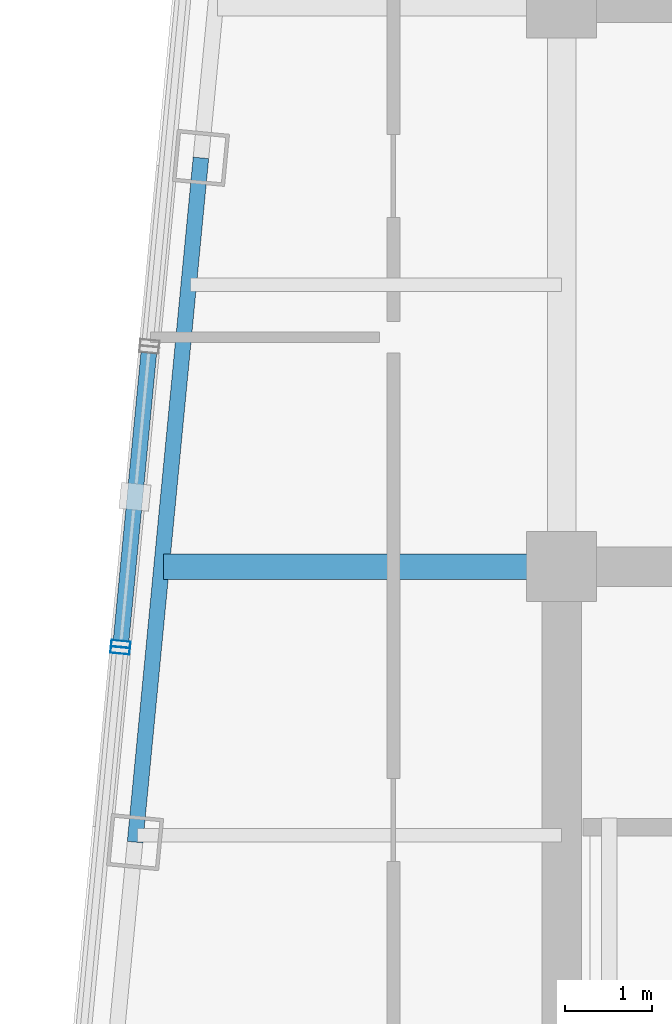
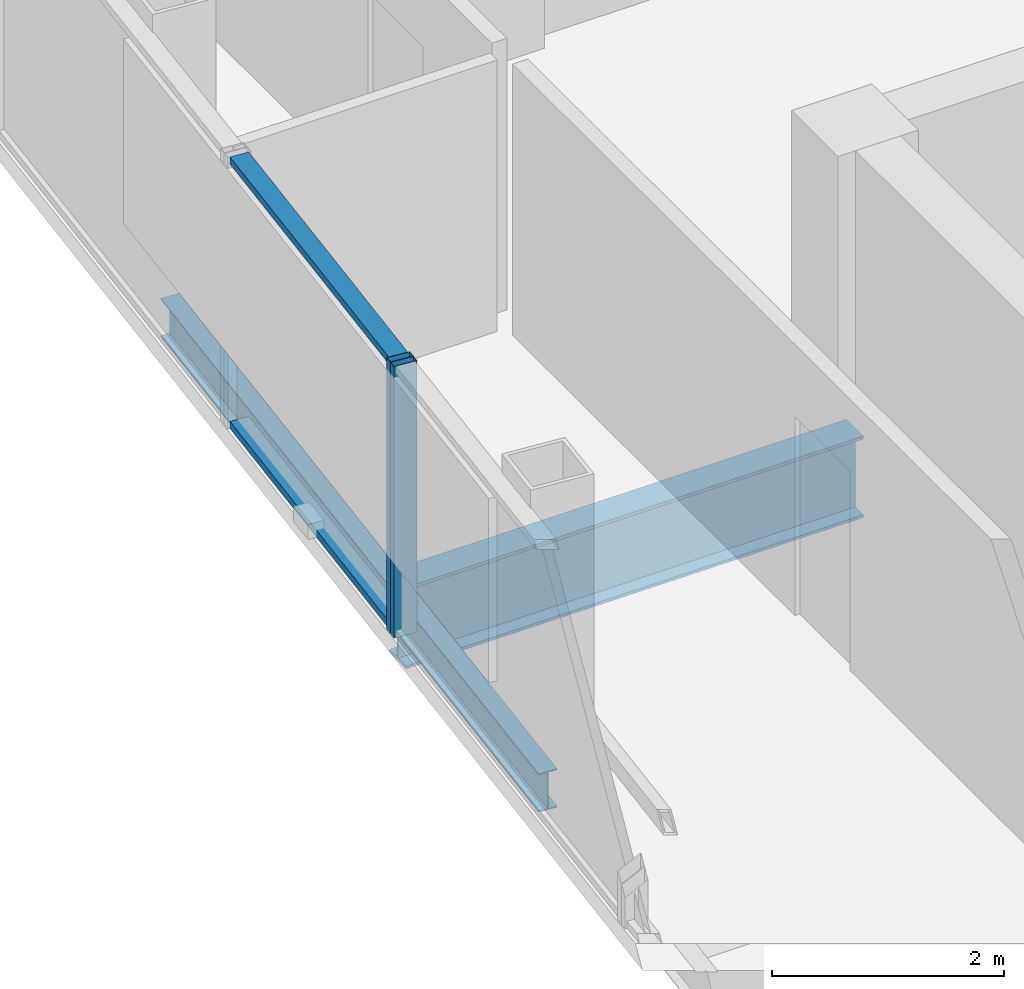
# One storey, part 7 of 27: 4 members, 2 beams, 2 elements without a shape of their own.
"""IFC4 building model written with IfcOpenShell, lengths in metres."""

from ifc_helpers import new_model, si_unit, direction, frame, origin, origin_2d, place, context, subcontext, project, spatial, hollow_rectangle, i_section, extrude, material, layer, layer_set, material_profile, profile_set, type_object, element, aggregate, save


model = new_model("IFC4")

# Units and contexts
model_context = context("Model", 3, precision=1e-05, world=origin(), true_north=direction((0.0, 1.0)))
body_context = subcontext(model_context, "Body", "Model", "MODEL_VIEW")
ifc_project = project(units=[si_unit("LENGTHUNIT", "METRE"), si_unit("AREAUNIT", "SQUARE_METRE"), si_unit("VOLUMEUNIT", "CUBIC_METRE"), si_unit("PLANEANGLEUNIT", "RADIAN"), si_unit("MASSUNIT", "GRAM", prefix="KILO")], contexts=[model_context])

# Site, building, storey
site_placement = place(None, origin())
site = spatial("IfcSite", under=ifc_project, at=site_placement, CompositionType="ELEMENT")
building_placement = place(site_placement, origin())
building = spatial("IfcBuilding", under=site, at=building_placement, Name="Qhalaya Broadcast Tower", CompositionType="ELEMENT")
storey_placement = place(building_placement, frame((0.0, 0.0, 258.10009765625)))
storey = spatial("IfcBuildingStorey", under=building, at=storey_placement, Name="L76", CompositionType="ELEMENT", Elevation=258.10009765625)

# Curtain wall, member
ifc_material_1 = material(Name="Solar-Control Low-E Triple Glazing", Category="glass")
ifc_layer_1 = layer(ifc_material_1, 0.219970703125, Name="Solar-Control Low-E Triple Glazing")
ifc_layer_set_1 = layer_set([ifc_layer_1], Name="Solar-Control Low-E Triple Glazing")
curtain_wall_type_1 = type_object("IfcCurtainWallType", Name="High-Altitude Upper-Shaft Triple Low-E Curtain Wall CW-04", PredefinedType="NOTDEFINED", material=ifc_layer_set_1)
curtain_wall_1_placement = place(storey_placement, origin())
curtain_wall_1 = element("IfcCurtainWall", 1, at=curtain_wall_1_placement, inside=storey, type_object=curtain_wall_type_1, Name="L76 Unitised Curtain Wall L76-CW-W4", PredefinedType="NOTDEFINED")
ifc_material_2 = material(Name="Anodised Aluminium 6063-T6", Category="aluminium")
ifc_material_profile_1 = material_profile(ifc_material_2, hollow_rectangle(XDim=0.074951171875, YDim=0.219970703125, WallThickness=0.00390625, at=origin_2d()), Name="ALU-MUL 75x220x4")
ifc_profile_set_1 = profile_set([ifc_material_profile_1], Name="Anodised Aluminium 6063-T6")
member_type_1 = type_object("IfcMemberType", Name="Unitised Curtain-Wall Mullion M01", PredefinedType="MULLION", material=ifc_profile_set_1)
member_1_placement = place(storey_placement, frame((-14.419921875, -3.510009765625, 0.0), z_axis=(0.0, 0.0, 1.0), x_axis=(-0.095835284901, -0.995397206229, 0.0)))
member_1 = element("IfcMember", 2, at=member_1_placement, type_object=member_type_1, Name="CW-04 mullion 2", PredefinedType="MULLION", context=body_context, shape_type="SweptSolid", body=[
    extrude(hollow_rectangle(XDim=0.074951171875, YDim=0.219970703125, WallThickness=0.00390625, at=origin_2d()), origin(), (0.0, 0.0, 1.0), 2.85986328125),
])

ifc_material_3 = material(Name="Fired Architectural Terracotta", Category="masonry")
ifc_layer_2 = layer(ifc_material_3, 0.219970703125, Name="Fired Architectural Terracotta")
ifc_layer_set_2 = layer_set([ifc_layer_2], Name="Fired Architectural Terracotta")
curtain_wall_type_2 = type_object("IfcCurtainWallType", Name="Block-Cap Unitised Terracotta Spandrel Wall CW-07", PredefinedType="NOTDEFINED", material=ifc_layer_set_2)
curtain_wall_2_placement = place(storey_placement, origin())
curtain_wall_2 = element("IfcCurtainWall", 3, at=curtain_wall_2_placement, inside=storey, type_object=curtain_wall_type_2, Name="L76 Unitised Curtain Wall L76-CW-W5", PredefinedType="NOTDEFINED")
member_2_placement = place(storey_placement, frame((-14.427001953125, -3.584716796875, 0.0), z_axis=(0.0, 0.0, 1.0), x_axis=(-0.095860228044, -0.995394804427, 0.0)))
member_2 = element("IfcMember", 4, at=member_2_placement, type_object=member_type_1, Name="CW-07 mullion 1", PredefinedType="MULLION", context=body_context, shape_type="SweptSolid", body=[
    extrude(hollow_rectangle(XDim=0.074951171875, YDim=0.219970703125, WallThickness=0.00390625, at=origin_2d()), origin(), (0.0, 0.0, 1.0), 2.85986328125),
])
aggregate(curtain_wall_2, [member_2])

# Member
ifc_material_profile_2 = material_profile(ifc_material_2, hollow_rectangle(XDim=0.074951171875, YDim=0.179931640625, WallThickness=0.00390625, at=origin_2d()), Name="ALU-TRN 75x180x4")
ifc_profile_set_2 = profile_set([ifc_material_profile_2], Name="Anodised Aluminium 6063-T6")
member_type_2 = type_object("IfcMemberType", Name="Unitised Curtain-Wall Transom T01", PredefinedType="USERDEFINED", material=ifc_profile_set_2)
member_3_placement = place(storey_placement, frame((-14.09912109375, -0.179931640625, 0.037353515625), z_axis=(-0.095871317829, -0.995393736377, 0.0), x_axis=(0.0, 0.0, 1.0)))
member_3 = element("IfcMember", 5, at=member_3_placement, type_object=member_type_2, Name="CW-04 transom 1.1", ObjectType="TRANSOM", PredefinedType="USERDEFINED", context=body_context, shape_type="SweptSolid", body=[
    extrude(hollow_rectangle(XDim=0.074951171875, YDim=0.179931640625, WallThickness=0.00390625, at=origin_2d()), origin(), (0.0, 0.0, 1.0), 3.307861328125),
])

member_4_placement = place(storey_placement, frame((-14.09912109375, -0.179931640625, 2.822509765625), z_axis=(-0.095871317829, -0.995393736377, 0.0), x_axis=(0.0, 0.0, 1.0)))
member_4 = element("IfcMember", 6, at=member_4_placement, type_object=member_type_2, Name="CW-04 transom 1.2", ObjectType="TRANSOM", PredefinedType="USERDEFINED", context=body_context, shape_type="SweptSolid", body=[
    extrude(hollow_rectangle(XDim=0.074951171875, YDim=0.179931640625, WallThickness=0.00390625, at=origin_2d()), origin(), (0.0, 0.0, 1.0), 3.307861328125),
])

aggregate(curtain_wall_1, [member_1, member_3, member_4])

# Beams
ifc_material_4 = material(Name="Structural Steel ASTM A992 Grade 50", Category="steel")
ifc_material_profile_3 = material_profile(ifc_material_4, i_section(OverallWidth=0.2919921875, OverallDepth=0.85888671875, WebThickness=0.01708984375, FlangeThickness=0.031005859375, at=origin_2d()), Name="W33X169")
ifc_profile_set_3 = profile_set([ifc_material_profile_3], Name="Structural Steel ASTM A992 Grade 50")
beam_type_1 = type_object("IfcBeamType", Name="Upper Block Primary Girder PG4", PredefinedType="USERDEFINED", material=ifc_profile_set_3)
beam_1_placement = place(storey_placement, frame((-13.9326171875, -2.625, -0.61962890625), z_axis=(1.0, 0.0, 0.0), x_axis=(0.0, 1.0, 0.0)))
element("IfcBeam", 7, at=beam_1_placement, inside=storey, type_object=beam_type_1, Name="L76 PG4 L76-PGYW2-1", ObjectType="GIRDER", PredefinedType="USERDEFINED", context=body_context, shape_type="SweptSolid", body=[
    extrude(i_section(OverallWidth=0.2919921875, OverallDepth=0.85888671875, WebThickness=0.01708984375, FlangeThickness=0.031005859375, at=origin_2d()), origin(), (0.0, 0.0, 1.0), 4.5576171875),
])
ifc_material_profile_4 = material_profile(ifc_material_4, i_section(OverallWidth=0.177978515625, OverallDepth=0.406005859375, WebThickness=0.0078125, FlangeThickness=0.0126953125, at=origin_2d()), Name="W16X40")
ifc_profile_set_4 = profile_set([ifc_material_profile_4], Name="Structural Steel ASTM A992 Grade 50")
beam_type_2 = type_object("IfcBeamType", Name="Upper Perimeter Spandrel Beam SP2", PredefinedType="SPANDREL", material=ifc_profile_set_4)
beam_2_placement = place(storey_placement, frame((-13.50244140625, 2.052490234375, -0.39306640625), z_axis=(-0.095837184179, -0.995397023367, 0.0), x_axis=(0.995397023367, -0.095837184179, 0.0)))
element("IfcBeam", 8, at=beam_2_placement, inside=storey, type_object=beam_type_2, Name="L76 SP2 L76-SPR-14", PredefinedType="SPANDREL", context=body_context, shape_type="SweptSolid", body=[
    extrude(i_section(OverallWidth=0.177978515625, OverallDepth=0.406005859375, WebThickness=0.0078125, FlangeThickness=0.0126953125, at=origin_2d()), origin(), (0.0, 0.0, 1.0), 7.866455078125),
])

save(model, "model.ifc")
